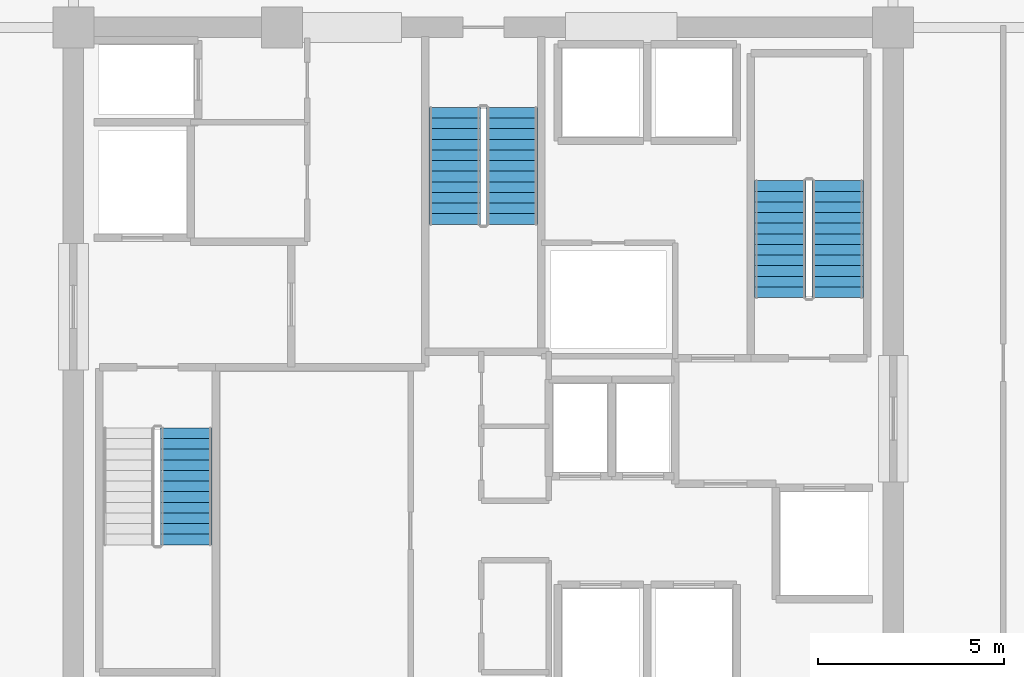
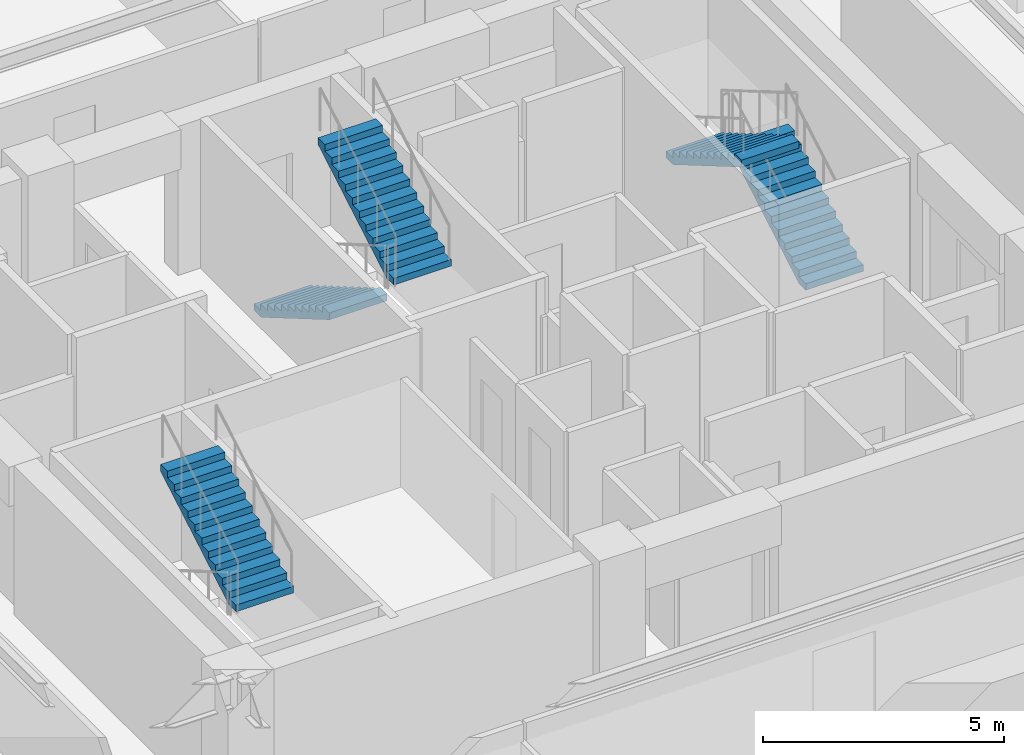
# One storey, part 17 of 21: 5 stair flights, 3 elements without a shape of their own.
"""IFC4 building model written with IfcOpenShell, lengths in metres."""

from ifc_helpers import new_model, si_unit, direction, frame, origin, place, context, subcontext, project, spatial, polyline, outline, extrude, material, type_object, element, aggregate, save


model = new_model("IFC4")

# Units and contexts
model_context = context("Model", 3, precision=1e-05, world=origin(), true_north=direction((0.0, 1.0)))
body_context = subcontext(model_context, "Body", "Model", "MODEL_VIEW")
ifc_project = project(units=[si_unit("LENGTHUNIT", "METRE"), si_unit("AREAUNIT", "SQUARE_METRE"), si_unit("VOLUMEUNIT", "CUBIC_METRE"), si_unit("PLANEANGLEUNIT", "RADIAN"), si_unit("MASSUNIT", "GRAM", prefix="KILO")], contexts=[model_context])

# Site, building, storey
site_placement = place(None, origin())
site = spatial("IfcSite", under=ifc_project, at=site_placement, CompositionType="ELEMENT")
building_placement = place(site_placement, origin())
building = spatial("IfcBuilding", under=site, at=building_placement, Name="Kovane Verandah Tower", CompositionType="ELEMENT")
storey_placement = place(building_placement, frame((0.0, 0.0, 152.39990234375)))
storey = spatial("IfcBuildingStorey", under=building, at=storey_placement, Name="L35", CompositionType="ELEMENT", Elevation=152.39990234375)

# Stair, stair flight
ifc_material = material(Name="Concrete C45/55", Category="concrete")
stair_type = type_object("IfcStairType", Name="ST-CORE-1380", PredefinedType="HALF_TURN_STAIR", material=ifc_material)
stair_1_placement = place(storey_placement, origin())
stair_1 = element("IfcStair", 1, at=stair_1_placement, inside=storey, type_object=stair_type, Name="L35 Exit Stair ST-01", PredefinedType="HALF_TURN_STAIR")
stair_flight_type = type_object("IfcStairFlightType", Name="STF-CORE-1380", PredefinedType="STRAIGHT", material=ifc_material)
stair_flight_1_placement = place(storey_placement, frame((32.030029296875, 22.614990234375, 2.0), z_axis=(0.0, 0.0, 1.0), x_axis=(0.0, 1.0, 0.0)))
stair_flight_1 = element("IfcStairFlight", 2, at=stair_flight_1_placement, type_object=stair_flight_type, Name="ST-01 flight 2", NumberOfRisers=12, NumberOfTreads=11, PredefinedType="STRAIGHT", RiserHeight=0.166666667, TreadLength=0.285, context=body_context, shape_type="SweptSolid", body=[
    extrude(outline(polyline([(0.0, 0.0), (0.0, 0.166748046875), (0.284912109375, 0.166748046875), (0.284912109375, 0.333251953125), (0.570068359375, 0.333251953125), (0.570068359375, 0.5), (0.85498046875, 0.5), (0.85498046875, 0.666748046875), (1.139892578125, 0.666748046875), (1.139892578125, 0.833251953125), (1.425048828125, 0.833251953125), (1.425048828125, 1.0), (1.7099609375, 1.0), (1.7099609375, 1.166748046875), (1.9951171875, 1.166748046875), (1.9951171875, 1.333251953125), (2.280029296875, 1.333251953125), (2.280029296875, 1.5), (2.56494140625, 1.5), (2.56494140625, 1.666748046875), (2.85009765625, 1.666748046875), (2.85009765625, 1.833251953125), (3.135009765625, 1.833251953125), (3.135009765625, 2.0), (3.135009765625, 1.65966796875), (0.296875, 0.0), (0.0, 0.0)])), frame((0.0, 0.68994140625, 0.0), z_axis=(0.0, -1.0, 0.0), x_axis=(1.0, 0.0, 0.0)), (0.0, 0.0, 1.0), 1.3798828125),
])
aggregate(stair_1, [stair_flight_1])

# Stair, stair flights
stair_2_placement = place(storey_placement, origin())
stair_2 = element("IfcStair", 3, at=stair_2_placement, inside=storey, type_object=stair_type, Name="L35 Exit Stair ST-02", PredefinedType="HALF_TURN_STAIR")
stair_flight_2_placement = place(storey_placement, frame((49.510009765625, 29.25, 0.0), z_axis=(0.0, 0.0, 1.0), x_axis=(0.0, 1.0, 0.0)))
stair_flight_2 = element("IfcStairFlight", 4, at=stair_flight_2_placement, type_object=stair_flight_type, Name="ST-02 flight 1", NumberOfRisers=12, NumberOfTreads=11, PredefinedType="STRAIGHT", RiserHeight=0.166666667, TreadLength=0.285, context=body_context, shape_type="SweptSolid", body=[
    extrude(outline(polyline([(0.0, 0.0), (0.0, 0.166748046875), (0.284912109375, 0.166748046875), (0.284912109375, 0.333251953125), (0.570068359375, 0.333251953125), (0.570068359375, 0.5), (0.85498046875, 0.5), (0.85498046875, 0.666748046875), (1.139892578125, 0.666748046875), (1.139892578125, 0.833251953125), (1.425048828125, 0.833251953125), (1.425048828125, 1.0), (1.7099609375, 1.0), (1.7099609375, 1.166748046875), (1.9951171875, 1.166748046875), (1.9951171875, 1.333251953125), (2.280029296875, 1.333251953125), (2.280029296875, 1.5), (2.56494140625, 1.5), (2.56494140625, 1.666748046875), (2.85009765625, 1.666748046875), (2.85009765625, 1.833251953125), (3.135009765625, 1.833251953125), (3.135009765625, 2.0), (3.135009765625, 1.65966796875), (0.296875, 0.0), (0.0, 0.0)])), frame((0.0, 0.68994140625, 0.0), z_axis=(0.0, -1.0, 0.0), x_axis=(1.0, 0.0, 0.0)), (0.0, 0.0, 1.0), 1.3798828125),
])
stair_flight_3_placement = place(storey_placement, frame((47.969970703125, 32.385009765625, 2.0), z_axis=(0.0, 0.0, 1.0), x_axis=(0.0, -1.0, 0.0)))
stair_flight_3 = element("IfcStairFlight", 5, at=stair_flight_3_placement, type_object=stair_flight_type, Name="ST-02 flight 2", NumberOfRisers=12, NumberOfTreads=11, PredefinedType="STRAIGHT", RiserHeight=0.166666667, TreadLength=0.285, context=body_context, shape_type="SweptSolid", body=[
    extrude(outline(polyline([(0.0, 0.0), (0.0, 0.166748046875), (0.284912109375, 0.166748046875), (0.284912109375, 0.333251953125), (0.570068359375, 0.333251953125), (0.570068359375, 0.5), (0.85498046875, 0.5), (0.85498046875, 0.666748046875), (1.139892578125, 0.666748046875), (1.139892578125, 0.833251953125), (1.425048828125, 0.833251953125), (1.425048828125, 1.0), (1.7099609375, 1.0), (1.7099609375, 1.166748046875), (1.9951171875, 1.166748046875), (1.9951171875, 1.333251953125), (2.280029296875, 1.333251953125), (2.280029296875, 1.5), (2.56494140625, 1.5), (2.56494140625, 1.666748046875), (2.85009765625, 1.666748046875), (2.85009765625, 1.833251953125), (3.135009765625, 1.833251953125), (3.135009765625, 2.0), (3.135009765625, 1.65966796875), (0.296875, 0.0), (0.0, 0.0)])), frame((0.0, 0.68994140625, 0.0), z_axis=(0.0, -1.0, 0.0), x_axis=(1.0, 0.0, 0.0)), (0.0, 0.0, 1.0), 1.3798828125),
])
aggregate(stair_2, [stair_flight_2, stair_flight_3])

stair_3_placement = place(storey_placement, origin())
stair_3 = element("IfcStair", 6, at=stair_3_placement, inside=storey, type_object=stair_type, Name="L35 Exit Stair ST-03", PredefinedType="HALF_TURN_STAIR")
stair_flight_4_placement = place(storey_placement, frame((39.22998046875, 34.35009765625, 0.0), z_axis=(0.0, 0.0, 1.0), x_axis=(0.0, -1.0, 0.0)))
stair_flight_4 = element("IfcStairFlight", 7, at=stair_flight_4_placement, type_object=stair_flight_type, Name="ST-03 flight 1", NumberOfRisers=12, NumberOfTreads=11, PredefinedType="STRAIGHT", RiserHeight=0.166666667, TreadLength=0.285, context=body_context, shape_type="SweptSolid", body=[
    extrude(outline(polyline([(0.0, 0.0), (0.0, 0.166748046875), (0.284912109375, 0.166748046875), (0.284912109375, 0.333251953125), (0.570068359375, 0.333251953125), (0.570068359375, 0.5), (0.85498046875, 0.5), (0.85498046875, 0.666748046875), (1.139892578125, 0.666748046875), (1.139892578125, 0.833251953125), (1.425048828125, 0.833251953125), (1.425048828125, 1.0), (1.7099609375, 1.0), (1.7099609375, 1.166748046875), (1.9951171875, 1.166748046875), (1.9951171875, 1.333251953125), (2.280029296875, 1.333251953125), (2.280029296875, 1.5), (2.56494140625, 1.5), (2.56494140625, 1.666748046875), (2.85009765625, 1.666748046875), (2.85009765625, 1.833251953125), (3.135009765625, 1.833251953125), (3.135009765625, 2.0), (3.135009765625, 1.65966796875), (0.296875, 0.0), (0.0, 0.0)])), frame((0.0, 0.68994140625, 0.0), z_axis=(0.0, -1.0, 0.0), x_axis=(1.0, 0.0, 0.0)), (0.0, 0.0, 1.0), 1.3798828125),
])
stair_flight_5_placement = place(storey_placement, frame((40.77001953125, 31.215087890625, 2.0), z_axis=(0.0, 0.0, 1.0), x_axis=(0.0, 1.0, 0.0)))
stair_flight_5 = element("IfcStairFlight", 8, at=stair_flight_5_placement, type_object=stair_flight_type, Name="ST-03 flight 2", NumberOfRisers=12, NumberOfTreads=11, PredefinedType="STRAIGHT", RiserHeight=0.166666667, TreadLength=0.285, context=body_context, shape_type="SweptSolid", body=[
    extrude(outline(polyline([(0.0, 0.0), (0.0, 0.166748046875), (0.284912109375, 0.166748046875), (0.284912109375, 0.333251953125), (0.570068359375, 0.333251953125), (0.570068359375, 0.5), (0.85498046875, 0.5), (0.85498046875, 0.666748046875), (1.139892578125, 0.666748046875), (1.139892578125, 0.833251953125), (1.425048828125, 0.833251953125), (1.425048828125, 1.0), (1.7099609375, 1.0), (1.7099609375, 1.166748046875), (1.9951171875, 1.166748046875), (1.9951171875, 1.333251953125), (2.280029296875, 1.333251953125), (2.280029296875, 1.5), (2.56494140625, 1.5), (2.56494140625, 1.666748046875), (2.85009765625, 1.666748046875), (2.85009765625, 1.833251953125), (3.135009765625, 1.833251953125), (3.135009765625, 2.0), (3.135009765625, 1.65966796875), (0.296875, 0.0), (0.0, 0.0)])), frame((0.0, 0.68994140625, 0.0), z_axis=(0.0, -1.0, 0.0), x_axis=(1.0, 0.0, 0.0)), (0.0, 0.0, 1.0), 1.3798828125),
])
aggregate(stair_3, [stair_flight_4, stair_flight_5])

save(model, "model.ifc")
